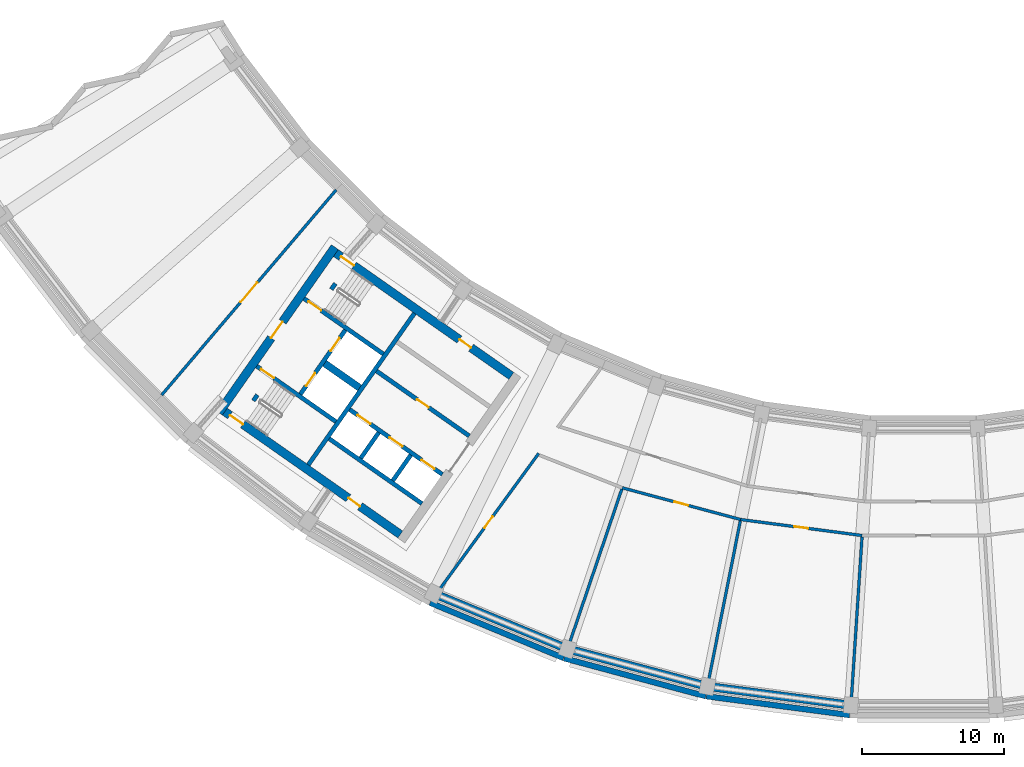
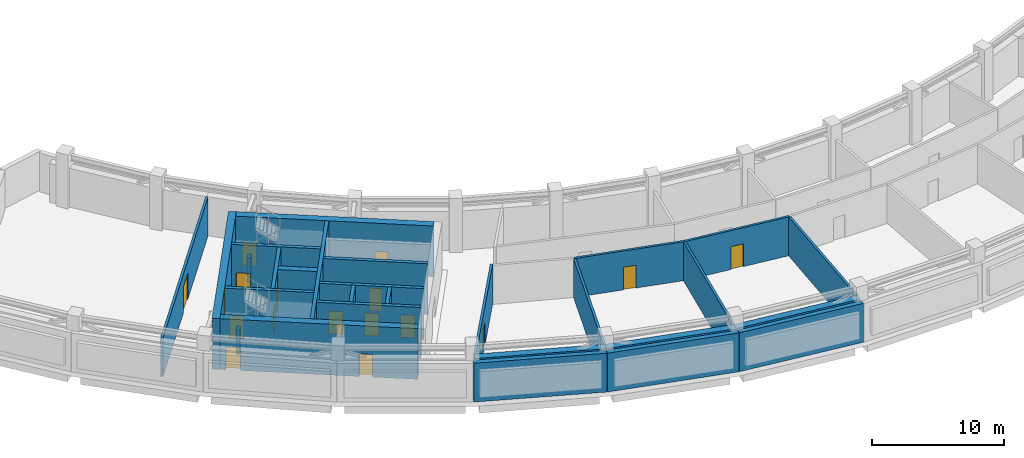
# One storey, part 5 of 24: 28 walls, 17 doors, 17 openings.
"""IFC4 building model written with IfcOpenShell, lengths in metres."""

import ifcopenshell
import ifcopenshell.guid

model = None  # the IFC model being written
_history = None  # IfcOwnerHistory: only IFC2X3 demands one
_inside = {}  # id of a spatial element -> (the spatial element, [elements in it])
_under = {}  # id of a project, library or spatial element -> (it, [spatial elements below it])
_declared = {}  # id of a project -> (the project, [libraries it declares])
_typed = {}  # id of a type object -> (the type object, [elements of that type])
_made_of = {}  # id of a material, layer set ... -> (it, [elements and type objects made of it])


def new_model(schema):
    """Start an empty IFC model of exactly this schema.

    Asked for "IFC4X3", IfcOpenShell would pick the latest addendum, in which some entities
    have other attributes; the version numbers below select the first issue.
    IFC2X3 requires an IfcOwnerHistory on every rooted entity: one is made here for all.
    """
    global model, _history
    if schema == "IFC4X3":
        model = ifcopenshell.file(schema_version=(4, 3, 0, 0))
    else:
        model = ifcopenshell.file(schema=schema)
    _inside.clear()
    _under.clear()
    _declared.clear()
    _typed.clear()
    _made_of.clear()
    _history = None
    if model.schema == "IFC2X3":
        org = make("IfcOrganization", Name="unknown")
        user = make(
            "IfcPersonAndOrganization",
            ThePerson=make("IfcPerson", FamilyName="unknown"),
            TheOrganization=org,
        )
        app = make(
            "IfcApplication",
            ApplicationDeveloper=org,
            Version="unknown",
            ApplicationFullName="unknown",
            ApplicationIdentifier="unknown",
        )
        _history = make(
            "IfcOwnerHistory",
            OwningUser=user,
            OwningApplication=app,
            ChangeAction="ADDED",
            CreationDate=0,
        )
    return model


def make(cls, **values):
    """One entity of the class cls with the attributes given. An attribute that is None is left unset."""
    return model.create_entity(
        cls, **{name: value for name, value in values.items() if value is not None}
    )


def rooted(cls, **values):
    """An entity with a GlobalId (a new one), such as an element, a storey or a relation."""
    return make(cls, GlobalId=ifcopenshell.guid.new(), OwnerHistory=_history, **values)


def si_unit(unit_type, name, prefix=None):
    """IfcSIUnit, for example si_unit("LENGTHUNIT", "METRE", prefix="MILLI")."""
    return make("IfcSIUnit", UnitType=unit_type, Prefix=prefix, Name=name)


def assignment(units):
    """IfcUnitAssignment: the units of a project."""
    return None if units is None else make("IfcUnitAssignment", Units=units)


def point(xyz):
    """IfcCartesianPoint."""
    return None if xyz is None else make("IfcCartesianPoint", Coordinates=xyz)


def direction(xyz):
    """IfcDirection."""
    return None if xyz is None else make("IfcDirection", DirectionRatios=xyz)


def frame(location, z_axis=None, x_axis=None):
    """IfcAxis2Placement3D, a coordinate frame: its origin and axes. An axis left out is left unset."""
    return make(
        "IfcAxis2Placement3D",
        Location=point(location),
        Axis=direction(z_axis),
        RefDirection=direction(x_axis),
    )


def frame_2d(location, x_axis=None):
    """IfcAxis2Placement2D, a coordinate frame in the plane: its origin and x axis."""
    return make(
        "IfcAxis2Placement2D", Location=point(location), RefDirection=direction(x_axis)
    )


def origin():
    """The frame at (0, 0, 0) with its axes left unset."""
    return frame((0.0, 0.0, 0.0))


def place(relative_to, where):
    """IfcLocalPlacement: puts the frame where relative to a parent placement (None: the world)."""
    return make(
        "IfcLocalPlacement", PlacementRelTo=relative_to, RelativePlacement=where
    )


def context(
    kind, dimensions, precision=None, world=None, true_north=None, identifier=None
):
    """IfcGeometricRepresentationContext, for example the 3D "Model" context."""
    return make(
        "IfcGeometricRepresentationContext",
        ContextIdentifier=identifier,
        ContextType=kind,
        CoordinateSpaceDimension=dimensions,
        Precision=precision,
        WorldCoordinateSystem=world,
        TrueNorth=true_north,
    )


def subcontext(parent, identifier, kind, view, scale=None):
    """IfcGeometricRepresentationSubContext, for example "Body" below "Model"."""
    return make(
        "IfcGeometricRepresentationSubContext",
        ContextIdentifier=identifier,
        ContextType=kind,
        ParentContext=parent,
        TargetScale=scale,
        TargetView=view,
    )


def project(units=None, contexts=None):
    """IfcProject with its units and contexts."""
    return rooted(
        "IfcProject",
        Name="project",
        RepresentationContexts=contexts,
        UnitsInContext=assignment(units),
    )


def spatial(cls, under=None, at=None, **own):
    """A site, building, storey or space (cls), placed at a placement, below another one or the project."""
    s = rooted(cls, ObjectPlacement=at, **own)
    if under is not None:
        _under.setdefault(under.id(), (under, []))[1].append(s)
    return s


def profile(cls, at=None, kind="AREA", **sizes):
    """A parametric profile (cls). Its sizes go by their IFC names, for example OverallWidth=200.0."""
    return make(cls, ProfileType=kind, Position=at, **sizes)


def rectangle(**sizes):
    """IfcRectangleProfileDef."""
    return profile("IfcRectangleProfileDef", **sizes)


def extrude(swept, where, along, depth):
    """IfcExtrudedAreaSolid: the profile swept, set in the frame where, extruded along a direction by depth."""
    return make(
        "IfcExtrudedAreaSolid",
        SweptArea=swept,
        Position=where,
        ExtrudedDirection=direction(along),
        Depth=depth,
    )


def shape(context_of_items, identifier, shape_type, items):
    """IfcShapeRepresentation: the items that make up one representation, for example the "Body"."""
    return make(
        "IfcShapeRepresentation",
        ContextOfItems=context_of_items,
        RepresentationIdentifier=identifier,
        RepresentationType=shape_type,
        Items=items,
    )


def material(Name=None, Category=None):
    """IfcMaterial."""
    return make("IfcMaterial", Name=Name, Category=Category)


def layer(
    of_material, thickness, ventilated=None, Name=None, Category=None, Priority=None
):
    """IfcMaterialLayer: one layer of a wall or slab, of a material (None: an air gap)."""
    return make(
        "IfcMaterialLayer",
        Material=of_material,
        LayerThickness=thickness,
        IsVentilated=ventilated,
        Name=Name,
        Category=Category,
        Priority=Priority,
    )


def layer_set(layers, Name=None):
    """IfcMaterialLayerSet."""
    return make("IfcMaterialLayerSet", MaterialLayers=layers, LayerSetName=Name)


def made_of(thing, what):
    """Note that an element or type object is made of a material, layer set ...; save() writes the relation."""
    if what is not None:
        _made_of.setdefault(what.id(), (what, []))[1].append(thing)
    return thing


def type_object(cls, material=None, **own):
    """A type object (cls), such as IfcWallType, which elements share."""
    return made_of(rooted(cls, **own), material)


def element(
    cls,
    number,
    at=None,
    inside=None,
    cuts=None,
    type_object=None,
    material=None,
    context=None,
    identifier="Body",
    shape_type=None,
    held_by="IfcProductDefinitionShape",
    body=None,
    shapes=None,
    **own,
):
    """One element of the class cls, such as IfcWall. Its Tag is "e" and its number.

    at: its placement. inside: the storey or other place that contains it. cuts: it is an
    opening in that element (IfcRelVoidsElement). A single representation is given by context,
    identifier, shape_type and body (its items); several are given by shapes. held_by: the class
    of the entity that holds the representations. save() writes the other relations.
    """
    e = rooted(cls, Tag="e%d" % number, ObjectPlacement=at, **own)
    if body is not None:
        shapes = [shape(context, identifier, shape_type, body)]
    if shapes is not None:
        e.Representation = make(held_by, Representations=shapes)
    if inside is not None:
        _inside.setdefault(inside.id(), (inside, []))[1].append(e)
    if cuts is not None:
        rooted(
            "IfcRelVoidsElement", RelatingBuildingElement=cuts, RelatedOpeningElement=e
        )
    if type_object is not None:
        _typed.setdefault(type_object.id(), (type_object, []))[1].append(e)
    return made_of(e, material)


def fill(opening, filler):
    """IfcRelFillsElement: the door or window that sits in an opening."""
    return rooted(
        "IfcRelFillsElement",
        RelatingOpeningElement=opening,
        RelatedBuildingElement=filler,
    )


def aggregate(whole, parts):
    """IfcRelAggregates: a whole, such as a stair, and the parts it consists of."""
    return rooted("IfcRelAggregates", RelatingObject=whole, RelatedObjects=parts)


def save(model, path):
    """Write the relations noted so far, then the file.

    IfcRelAggregates (storeys below a building ...), IfcRelContainedInSpatialStructure (elements
    in a storey), IfcRelDefinesByType, IfcRelAssociatesMaterial and IfcRelDeclares: one each for
    every whole, place, type object, material and project.
    """
    for whole, parts in _under.values():
        aggregate(whole, parts)
    for where, things in _inside.values():
        rooted(
            "IfcRelContainedInSpatialStructure",
            RelatedElements=things,
            RelatingStructure=where,
        )
    for kind, things in _typed.values():
        rooted("IfcRelDefinesByType", RelatedObjects=things, RelatingType=kind)
    for what, things in _made_of.values():
        rooted("IfcRelAssociatesMaterial", RelatedObjects=things, RelatingMaterial=what)
    for by, libraries in _declared.values():
        rooted("IfcRelDeclares", RelatingContext=by, RelatedDefinitions=libraries)
    model.write(path)


model = new_model("IFC4")

# Units and contexts
model_context = context("Model", 3, precision=1e-05, world=origin(), true_north=direction((0.0, 1.0)))
body_context = subcontext(model_context, "Body", "Model", "MODEL_VIEW")
ifc_project = project(units=[si_unit("LENGTHUNIT", "METRE"), si_unit("AREAUNIT", "SQUARE_METRE"), si_unit("VOLUMEUNIT", "CUBIC_METRE"), si_unit("PLANEANGLEUNIT", "RADIAN"), si_unit("MASSUNIT", "GRAM", prefix="KILO")], contexts=[model_context])

# Site, building, storey
site_placement = place(None, origin())
site = spatial("IfcSite", under=ifc_project, at=site_placement, CompositionType="ELEMENT")
building_placement = place(site_placement, origin())
building = spatial("IfcBuilding", under=site, at=building_placement, Name="Qamariyya Broadcast Tower", CompositionType="ELEMENT")
storey_placement = place(building_placement, frame((0.0, 0.0, 253.10009765625)))
storey = spatial("IfcBuildingStorey", under=building, at=storey_placement, Name="L61", CompositionType="ELEMENT", Elevation=253.10009765625)

# Wall, opening, door
ifc_material_1 = material(Name="Concrete C60/75", Category="concrete")
ifc_layer_1 = layer(ifc_material_1, 0.60009765625)
ifc_layer_set_1 = layer_set([ifc_layer_1], Name="Core wall 600 mm Concrete C60/75")
wall_type_1 = type_object("IfcWallType", Name="Core wall 600 mm Concrete C60/75", PredefinedType="SHEAR", material=ifc_layer_set_1)
wall_1_placement = place(storey_placement, frame((-49.4833984375, -57.031494140625, 0.0), z_axis=(0.0, 0.0, 1.0), x_axis=(0.573560421458, 0.819163257805, 0.0)))
wall_1 = element("IfcWall", 1, at=wall_1_placement, inside=storey, type_object=wall_type_1, Name="k-W-L61-WH", PredefinedType="SHEAR", context=body_context, shape_type="SweptSolid", body=[
    extrude(rectangle(XDim=14.199951171875, YDim=0.60009765625, at=frame_2d((7.10009765625, 0.0))), origin(), (0.0, 0.0, 1.0), 4.699951171875),
])
opening_1_placement = place(wall_1_placement, frame((6.39990234375, 0.0, 0.0)))
opening_1 = element("IfcOpeningElement", 2, at=opening_1_placement, cuts=wall_1, Name="Opening KD2-W1", PredefinedType="OPENING", context=body_context, shape_type="SweptSolid", body=[
    extrude(rectangle(XDim=1.39990234375, YDim=2.10009765625, at=frame_2d((0.699951171875, 1.050048828125))), frame((0.0, 0.31005859375, 0.0), z_axis=(0.0, -1.0, 0.0), x_axis=(1.0, 0.0, 0.0)), (0.0, 0.0, 1.0), 0.6201171875),
])
ifc_material_2 = material(Name="Steel fire-resisting door leaf", Category="steel")
door_type_1 = type_object("IfcDoorType", Name="Fire-fighting lobby door KD2", OperationType="DOUBLE_DOOR_SINGLE_SWING", PredefinedType="DOOR", material=ifc_material_2)
door_1_placement = place(opening_1_placement, origin())
door_1 = element("IfcDoor", 3, at=door_1_placement, inside=storey, type_object=door_type_1, Name="k-W-L61-WH-D10", OperationType="DOUBLE_DOOR_SINGLE_SWING", OverallHeight=2.10009765625, OverallWidth=1.39990234375, PredefinedType="DOOR", context=body_context, shape_type="SweptSolid", body=[
    extrude(rectangle(XDim=1.39990234375, YDim=2.10009765625, at=frame_2d((0.699951171875, 1.050048828125))), frame((0.0, 0.02490234375, 0.0), z_axis=(0.0, -1.0, 0.0), x_axis=(1.0, 0.0, 0.0)), (0.0, 0.0, 1.0), 0.050048828125),
])
fill(opening_1, door_1)

# Wall, openings, doors
wall_2_placement = place(storey_placement, frame((-28.940673828125, -54.447021484375, 0.0), z_axis=(0.0, 0.0, 1.0), x_axis=(-0.819153391756, 0.573574511963, 0.0)))
wall_2 = element("IfcWall", 4, at=wall_2_placement, inside=storey, type_object=wall_type_1, Name="k-W-L61-WI", PredefinedType="SHEAR", context=body_context, shape_type="SweptSolid", body=[
    extrude(rectangle(XDim=15.04541015625, YDim=0.60009765625, at=frame_2d((7.522705078125, 0.0))), origin(), (0.0, 0.0, 1.0), 4.699951171875),
])
opening_2_placement = place(wall_2_placement, frame((3.449951171875, 0.0, 0.0)))
opening_2 = element("IfcOpeningElement", 5, at=opening_2_placement, cuts=wall_2, Name="Opening KD4-W2", PredefinedType="OPENING", context=body_context, shape_type="SweptSolid", body=[
    extrude(rectangle(XDim=1.0, YDim=2.10009765625, at=frame_2d((0.5, 1.050048828125))), frame((0.0, 0.31005859375, 0.0), z_axis=(0.0, -1.0, 0.0), x_axis=(1.0, 0.0, 0.0)), (0.0, 0.0, 1.0), 0.6201171875),
])
opening_3_placement = place(wall_2_placement, frame((13.495361328125, 0.0, 0.0)))
opening_3 = element("IfcOpeningElement", 6, at=opening_3_placement, cuts=wall_2, Name="Opening KD1-W1", PredefinedType="OPENING", context=body_context, shape_type="SweptSolid", body=[
    extrude(rectangle(XDim=1.10009765625, YDim=2.10009765625, at=frame_2d((0.550048828125, 1.050048828125))), frame((0.0, 0.31005859375, 0.0), z_axis=(0.0, -1.0, 0.0), x_axis=(1.0, 0.0, 0.0)), (0.0, 0.0, 1.0), 0.6201171875),
])
door_type_2 = type_object("IfcDoorType", Name="Riser and plant door KD4", OperationType="SINGLE_SWING_LEFT", PredefinedType="DOOR", material=ifc_material_2)
door_2_placement = place(opening_2_placement, origin())
door_2 = element("IfcDoor", 7, at=door_2_placement, inside=storey, type_object=door_type_2, Name="k-W-L61-WI-D6", OperationType="SINGLE_SWING_LEFT", OverallHeight=2.10009765625, OverallWidth=1.0, PredefinedType="DOOR", context=body_context, shape_type="SweptSolid", body=[
    extrude(rectangle(XDim=1.0, YDim=2.10009765625, at=frame_2d((0.5, 1.050048828125))), frame((0.0, 0.02490234375, 0.0), z_axis=(0.0, -1.0, 0.0), x_axis=(1.0, 0.0, 0.0)), (0.0, 0.0, 1.0), 0.050048828125),
])
fill(opening_2, door_2)
door_type_3 = type_object("IfcDoorType", Name="Stair door KD1", OperationType="SINGLE_SWING_LEFT", PredefinedType="DOOR", material=ifc_material_2)
door_3_placement = place(opening_3_placement, origin())
door_3 = element("IfcDoor", 8, at=door_3_placement, inside=storey, type_object=door_type_3, Name="k-W-L61-WI-D11", OperationType="SINGLE_SWING_RIGHT", OverallHeight=2.10009765625, OverallWidth=1.10009765625, PredefinedType="DOOR", context=body_context, shape_type="SweptSolid", body=[
    extrude(rectangle(XDim=1.10009765625, YDim=2.10009765625, at=frame_2d((0.550048828125, 1.050048828125))), frame((0.0, 0.02490234375, 0.0), z_axis=(0.0, -1.0, 0.0), x_axis=(1.0, 0.0, 0.0)), (0.0, 0.0, 1.0), 0.050048828125),
])
fill(opening_3, door_3)

wall_3_placement = place(storey_placement, frame((-36.7412109375, -65.58740234375, 0.0), z_axis=(0.0, 0.0, 1.0), x_axis=(-0.819153391756, 0.573574511963, 0.0)))
wall_3 = element("IfcWall", 9, at=wall_3_placement, inside=storey, type_object=wall_type_1, Name="k-W-L61-WO", PredefinedType="SHEAR", context=body_context, shape_type="SweptSolid", body=[
    extrude(rectangle(XDim=15.04541015625, YDim=0.60009765625, at=frame_2d((7.522705078125, 0.0))), origin(), (0.0, 0.0, 1.0), 4.699951171875),
])
opening_4_placement = place(wall_3_placement, frame((3.449951171875, 0.0, 0.0)))
opening_4 = element("IfcOpeningElement", 10, at=opening_4_placement, cuts=wall_3, Name="Opening KD4-W3", PredefinedType="OPENING", context=body_context, shape_type="SweptSolid", body=[
    extrude(rectangle(XDim=1.0, YDim=2.10009765625, at=frame_2d((0.5, 1.050048828125))), frame((0.0, 0.31005859375, 0.0), z_axis=(0.0, -1.0, 0.0), x_axis=(1.0, 0.0, 0.0)), (0.0, 0.0, 1.0), 0.6201171875),
])
opening_5_placement = place(wall_3_placement, frame((13.495361328125, 0.0, 0.0)))
opening_5 = element("IfcOpeningElement", 11, at=opening_5_placement, cuts=wall_3, Name="Opening KD1-W3", PredefinedType="OPENING", context=body_context, shape_type="SweptSolid", body=[
    extrude(rectangle(XDim=1.10009765625, YDim=2.10009765625, at=frame_2d((0.550048828125, 1.050048828125))), frame((0.0, 0.31005859375, 0.0), z_axis=(0.0, -1.0, 0.0), x_axis=(1.0, 0.0, 0.0)), (0.0, 0.0, 1.0), 0.6201171875),
])
door_4_placement = place(opening_4_placement, origin())
door_4 = element("IfcDoor", 12, at=door_4_placement, inside=storey, type_object=door_type_2, Name="k-W-L61-WO-D7", OperationType="SINGLE_SWING_RIGHT", OverallHeight=2.10009765625, OverallWidth=1.0, PredefinedType="DOOR", context=body_context, shape_type="SweptSolid", body=[
    extrude(rectangle(XDim=1.0, YDim=2.10009765625, at=frame_2d((0.5, 1.050048828125))), frame((0.0, 0.02490234375, 0.0), z_axis=(0.0, -1.0, 0.0), x_axis=(1.0, 0.0, 0.0)), (0.0, 0.0, 1.0), 0.050048828125),
])
fill(opening_4, door_4)
door_5_placement = place(opening_5_placement, origin())
door_5 = element("IfcDoor", 13, at=door_5_placement, inside=storey, type_object=door_type_3, Name="k-W-L61-WO-D13", OperationType="SINGLE_SWING_LEFT", OverallHeight=2.10009765625, OverallWidth=1.10009765625, PredefinedType="DOOR", context=body_context, shape_type="SweptSolid", body=[
    extrude(rectangle(XDim=1.10009765625, YDim=2.10009765625, at=frame_2d((0.550048828125, 1.050048828125))), frame((0.0, 0.02490234375, 0.0), z_axis=(0.0, -1.0, 0.0), x_axis=(1.0, 0.0, 0.0)), (0.0, 0.0, 1.0), 0.050048828125),
])
fill(opening_5, door_5)

# Walls
ifc_layer_2 = layer(ifc_material_1, 0.5)
ifc_layer_set_2 = layer_set([ifc_layer_2], Name="Fire-fighting lobby divider wall 500 mm Concrete C60/75")
wall_type_2 = type_object("IfcWallType", Name="Fire-fighting lobby divider wall 500 mm Concrete C60/75", PredefinedType="SOLIDWALL", material=ifc_layer_set_2)
wall_4_placement = place(storey_placement, frame((-39.59912109375, -55.28515625, 0.0), z_axis=(0.0, 0.0, 1.0), x_axis=(-0.819136323161, 0.573598887793, 0.0)))
element("IfcWall", 14, at=wall_4_placement, inside=storey, type_object=wall_type_2, Name="k-W-L61-FD", PredefinedType="SOLIDWALL", context=body_context, shape_type="SweptSolid", body=[
    extrude(rectangle(XDim=2.999755859375, YDim=0.5, at=frame_2d((1.5, 0.0))), origin(), (0.0, 0.0, 1.0), 4.699951171875),
])
ifc_layer_3 = layer(ifc_material_1, 0.300048828125)
ifc_layer_set_3 = layer_set([ifc_layer_3], Name="Lift shaft wall 300 mm Concrete C60/75")
wall_type_3 = type_object("IfcWallType", Name="Lift shaft wall 300 mm Concrete C60/75", PredefinedType="SOLIDWALL", material=ifc_layer_set_3)
wall_5_placement = place(storey_placement, frame((-43.204345703125, -60.69580078125, 0.0), z_axis=(0.0, 0.0, 1.0), x_axis=(0.573571992966, 0.819155155563, 0.0)))
element("IfcWall", 15, at=wall_5_placement, inside=storey, type_object=wall_type_3, Name="k-W-L61-WL", PredefinedType="SOLIDWALL", context=body_context, shape_type="SweptSolid", body=[
    extrude(rectangle(XDim=13.000244140625, YDim=0.300048828125, at=frame_2d((6.5, 0.0))), origin(), (0.0, 0.0, 1.0), 4.699951171875),
])

# Wall, opening, door
wall_6_placement = place(storey_placement, frame((-31.89453125, -58.66552734375, 0.0), z_axis=(0.0, 0.0, 1.0), x_axis=(-0.819166993208, 0.573555086491, 0.0)))
wall_6 = element("IfcWall", 16, at=wall_6_placement, inside=storey, type_object=wall_type_3, Name="k-W-L61-NF0", PredefinedType="SOLIDWALL", context=body_context, shape_type="SweptSolid", body=[
    extrude(rectangle(XDim=7.9501953125, YDim=0.300048828125, at=frame_2d((3.97509765625, 0.0))), origin(), (0.0, 0.0, 1.0), 4.699951171875),
])
opening_6_placement = place(wall_6_placement, frame((3.47509765625, 0.0, 0.0)))
opening_6 = element("IfcOpeningElement", 17, at=opening_6_placement, cuts=wall_6, Name="Opening KD4-W1", PredefinedType="OPENING", context=body_context, shape_type="SweptSolid", body=[
    extrude(rectangle(XDim=1.0, YDim=2.10009765625, at=frame_2d((0.5, 1.050048828125))), frame((0.0, 0.159912109375, 0.0), z_axis=(0.0, -1.0, 0.0), x_axis=(1.0, 0.0, 0.0)), (0.0, 0.0, 1.0), 0.320068359375),
])
door_6_placement = place(opening_6_placement, origin())
door_6 = element("IfcDoor", 18, at=door_6_placement, inside=storey, type_object=door_type_2, Name="k-W-L61-NF0-D2", OperationType="SINGLE_SWING_LEFT", OverallHeight=2.10009765625, OverallWidth=1.0, PredefinedType="DOOR", context=body_context, shape_type="SweptSolid", body=[
    extrude(rectangle(XDim=1.0, YDim=2.10009765625, at=frame_2d((0.5, 1.050048828125))), frame((0.0, 0.02490234375, 0.0), z_axis=(0.0, -1.0, 0.0), x_axis=(1.0, 0.0, 0.0)), (0.0, 0.0, 1.0), 0.050048828125),
])
fill(opening_6, door_6)

# Wall, openings, doors
wall_7_placement = place(storey_placement, frame((-33.787353515625, -61.368896484375, 0.0), z_axis=(0.0, 0.0, 1.0), x_axis=(-0.819152564888, 0.573575692858, 0.0)))
wall_7 = element("IfcWall", 19, at=wall_7_placement, inside=storey, type_object=wall_type_3, Name="k-W-L61-SF0", PredefinedType="SOLIDWALL", context=body_context, shape_type="SweptSolid", body=[
    extrude(rectangle(XDim=7.9501953125, YDim=0.300048828125, at=frame_2d((3.97509765625, 0.0))), origin(), (0.0, 0.0, 1.0), 4.699951171875),
])
opening_7_placement = place(wall_7_placement, frame((0.675048828125, 0.0, 0.0)))
opening_7 = element("IfcOpeningElement", 20, at=opening_7_placement, cuts=wall_7, Name="Opening LD", PredefinedType="OPENING", context=body_context, shape_type="SweptSolid", body=[
    extrude(rectangle(XDim=1.10009765625, YDim=2.10009765625, at=frame_2d((0.550048828125, 1.050048828125))), frame((0.0, 0.159912109375, 0.0), z_axis=(0.0, -1.0, 0.0), x_axis=(1.0, 0.0, 0.0)), (0.0, 0.0, 1.0), 0.320068359375),
])
opening_8_placement = place(wall_7_placement, frame((3.425048828125, 0.0, 0.0)))
opening_8 = element("IfcOpeningElement", 21, at=opening_8_placement, cuts=wall_7, Name="Opening LD", PredefinedType="OPENING", context=body_context, shape_type="SweptSolid", body=[
    extrude(rectangle(XDim=1.10009765625, YDim=2.10009765625, at=frame_2d((0.550048828125, 1.050048828125))), frame((0.0, 0.159912109375, 0.0), z_axis=(0.0, -1.0, 0.0), x_axis=(1.0, 0.0, 0.0)), (0.0, 0.0, 1.0), 0.320068359375),
])
opening_9_placement = place(wall_7_placement, frame((6.175048828125, 0.0, 0.0)))
opening_9 = element("IfcOpeningElement", 22, at=opening_9_placement, cuts=wall_7, Name="Opening LD", PredefinedType="OPENING", context=body_context, shape_type="SweptSolid", body=[
    extrude(rectangle(XDim=1.10009765625, YDim=2.10009765625, at=frame_2d((0.550048828125, 1.050048828125))), frame((0.0, 0.159912109375, 0.0), z_axis=(0.0, -1.0, 0.0), x_axis=(1.0, 0.0, 0.0)), (0.0, 0.0, 1.0), 0.320068359375),
])
door_type_4 = type_object("IfcDoorType", Name="Lift landing door LD", OperationType="DOUBLE_DOOR_SLIDING", PredefinedType="DOOR", material=ifc_material_2)
door_7_placement = place(opening_7_placement, origin())
door_7 = element("IfcDoor", 23, at=door_7_placement, inside=storey, type_object=door_type_4, Name="k-W-L61-SF0-D3", OperationType="DOUBLE_DOOR_SLIDING", OverallHeight=2.10009765625, OverallWidth=1.10009765625, PredefinedType="DOOR", context=body_context, shape_type="SweptSolid", body=[
    extrude(rectangle(XDim=1.10009765625, YDim=2.10009765625, at=frame_2d((0.550048828125, 1.050048828125))), frame((0.0, 0.02490234375, 0.0), z_axis=(0.0, -1.0, 0.0), x_axis=(1.0, 0.0, 0.0)), (0.0, 0.0, 1.0), 0.050048828125),
])
fill(opening_7, door_7)
door_8_placement = place(opening_8_placement, origin())
door_8 = element("IfcDoor", 24, at=door_8_placement, inside=storey, type_object=door_type_4, Name="k-W-L61-SF0-D4", OperationType="DOUBLE_DOOR_SLIDING", OverallHeight=2.10009765625, OverallWidth=1.10009765625, PredefinedType="DOOR", context=body_context, shape_type="SweptSolid", body=[
    extrude(rectangle(XDim=1.10009765625, YDim=2.10009765625, at=frame_2d((0.550048828125, 1.050048828125))), frame((0.0, 0.02490234375, 0.0), z_axis=(0.0, -1.0, 0.0), x_axis=(1.0, 0.0, 0.0)), (0.0, 0.0, 1.0), 0.050048828125),
])
fill(opening_8, door_8)
door_9_placement = place(opening_9_placement, origin())
door_9 = element("IfcDoor", 25, at=door_9_placement, inside=storey, type_object=door_type_4, Name="k-W-L61-SF0-D5", OperationType="DOUBLE_DOOR_SLIDING", OverallHeight=2.10009765625, OverallWidth=1.10009765625, PredefinedType="DOOR", context=body_context, shape_type="SweptSolid", body=[
    extrude(rectangle(XDim=1.10009765625, YDim=2.10009765625, at=frame_2d((0.550048828125, 1.050048828125))), frame((0.0, 0.02490234375, 0.0), z_axis=(0.0, -1.0, 0.0), x_axis=(1.0, 0.0, 0.0)), (0.0, 0.0, 1.0), 0.050048828125),
])
fill(opening_9, door_9)

# Walls
wall_8_placement = place(storey_placement, frame((-35.22119140625, -63.41650390625, 0.0), z_axis=(0.0, 0.0, 1.0), x_axis=(-0.819166993208, 0.573555086491, 0.0)))
element("IfcWall", 26, at=wall_8_placement, inside=storey, type_object=wall_type_3, Name="k-W-L61-SB0", PredefinedType="SOLIDWALL", context=body_context, shape_type="SweptSolid", body=[
    extrude(rectangle(XDim=7.9501953125, YDim=0.300048828125, at=frame_2d((3.97509765625, 0.0))), origin(), (0.0, 0.0, 1.0), 4.699951171875),
])
wall_9_placement = place(storey_placement, frame((-36.003173828125, -60.000244140625, 0.0), z_axis=(0.0, 0.0, 1.0), x_axis=(-0.573581496053, -0.819148501424, 0.0)))
element("IfcWall", 27, at=wall_9_placement, inside=storey, type_object=wall_type_3, Name="k-W-L61-SD0", PredefinedType="SOLIDWALL", context=body_context, shape_type="SweptSolid", body=[
    extrude(rectangle(XDim=2.2001953125, YDim=0.300048828125, at=frame_2d((1.10009765625, 0.0))), origin(), (0.0, 0.0, 1.0), 4.699951171875),
])
wall_10_placement = place(storey_placement, frame((-38.255859375, -58.423095703125, 0.0), z_axis=(0.0, 0.0, 1.0), x_axis=(-0.573633636671, -0.819111989218, 0.0)))
element("IfcWall", 28, at=wall_10_placement, inside=storey, type_object=wall_type_3, Name="k-W-L61-SD1", PredefinedType="SOLIDWALL", context=body_context, shape_type="SweptSolid", body=[
    extrude(rectangle(XDim=2.199951171875, YDim=0.300048828125, at=frame_2d((1.10009765625, 0.0))), origin(), (0.0, 0.0, 1.0), 4.699951171875),
])

# Wall, opening, door
wall_11_placement = place(storey_placement, frame((-37.935546875, -52.90966796875, 0.0), z_axis=(0.0, 0.0, 1.0), x_axis=(-0.819147518138, 0.57358290031, 0.0)))
wall_11 = element("IfcWall", 29, at=wall_11_placement, inside=storey, type_object=wall_type_3, Name="k-W-L61-NW", PredefinedType="SOLIDWALL", context=body_context, shape_type="SweptSolid", body=[
    extrude(rectangle(XDim=6.79541015625, YDim=0.300048828125, at=frame_2d((3.397705078125, 0.0))), origin(), (0.0, 0.0, 1.0), 4.699951171875),
])
opening_10_placement = place(wall_11_placement, frame((5.3203125, 0.0, 0.0)))
opening_10 = element("IfcOpeningElement", 30, at=opening_10_placement, cuts=wall_11, Name="Opening KD1-W2", PredefinedType="OPENING", context=body_context, shape_type="SweptSolid", body=[
    extrude(rectangle(XDim=1.10009765625, YDim=2.10009765625, at=frame_2d((0.550048828125, 1.050048828125))), frame((0.0, 0.159912109375, 0.0), z_axis=(0.0, -1.0, 0.0), x_axis=(1.0, 0.0, 0.0)), (0.0, 0.0, 1.0), 0.320068359375),
])
door_10_placement = place(opening_10_placement, origin())
door_10 = element("IfcDoor", 31, at=door_10_placement, inside=storey, type_object=door_type_3, Name="k-W-L61-NW-D12", OperationType="SINGLE_SWING_LEFT", OverallHeight=2.10009765625, OverallWidth=1.10009765625, PredefinedType="DOOR", context=body_context, shape_type="SweptSolid", body=[
    extrude(rectangle(XDim=1.10009765625, YDim=2.10009765625, at=frame_2d((0.550048828125, 1.050048828125))), frame((0.0, 0.02490234375, 0.0), z_axis=(0.0, -1.0, 0.0), x_axis=(1.0, 0.0, 0.0)), (0.0, 0.0, 1.0), 0.050048828125),
])
fill(opening_10, door_10)

wall_12_placement = place(storey_placement, frame((-41.262451171875, -57.66064453125, 0.0), z_axis=(0.0, 0.0, 1.0), x_axis=(-0.819164398642, 0.573558792102, 0.0)))
wall_12 = element("IfcWall", 32, at=wall_12_placement, inside=storey, type_object=wall_type_3, Name="k-W-L61-SW", PredefinedType="SOLIDWALL", context=body_context, shape_type="SweptSolid", body=[
    extrude(rectangle(XDim=6.795166015625, YDim=0.300048828125, at=frame_2d((3.3974609375, 0.0))), origin(), (0.0, 0.0, 1.0), 4.699951171875),
])
opening_11_placement = place(wall_12_placement, frame((5.3203125, 0.0, 0.0)))
opening_11 = element("IfcOpeningElement", 33, at=opening_11_placement, cuts=wall_12, Name="Opening KD1-W4", PredefinedType="OPENING", context=body_context, shape_type="SweptSolid", body=[
    extrude(rectangle(XDim=1.10009765625, YDim=2.10009765625, at=frame_2d((0.550048828125, 1.050048828125))), frame((0.0, 0.159912109375, 0.0), z_axis=(0.0, -1.0, 0.0), x_axis=(1.0, 0.0, 0.0)), (0.0, 0.0, 1.0), 0.320068359375),
])
door_11_placement = place(opening_11_placement, origin())
door_11 = element("IfcDoor", 34, at=door_11_placement, inside=storey, type_object=door_type_3, Name="k-W-L61-SW-D14", OperationType="SINGLE_SWING_LEFT", OverallHeight=2.10009765625, OverallWidth=1.10009765625, PredefinedType="DOOR", context=body_context, shape_type="SweptSolid", body=[
    extrude(rectangle(XDim=1.10009765625, YDim=2.10009765625, at=frame_2d((0.550048828125, 1.050048828125))), frame((0.0, 0.02490234375, 0.0), z_axis=(0.0, -1.0, 0.0), x_axis=(1.0, 0.0, 0.0)), (0.0, 0.0, 1.0), 0.050048828125),
])
fill(opening_11, door_11)

# Wall, openings, doors
wall_13_placement = place(storey_placement, frame((-43.756591796875, -55.731201171875, 0.0), z_axis=(0.0, 0.0, 1.0), x_axis=(0.573536818435, 0.819179783625, 0.0)))
wall_13 = element("IfcWall", 35, at=wall_13_placement, inside=storey, type_object=wall_type_3, Name="k-W-L61-FF", PredefinedType="SOLIDWALL", context=body_context, shape_type="SweptSolid", body=[
    extrude(rectangle(XDim=5.500244140625, YDim=0.300048828125, at=frame_2d((2.75, 0.0))), origin(), (0.0, 0.0, 1.0), 4.699951171875),
])
opening_12_placement = place(wall_13_placement, frame((0.699951171875, 0.0, 0.0)))
opening_12 = element("IfcOpeningElement", 36, at=opening_12_placement, cuts=wall_13, Name="Opening LD", PredefinedType="OPENING", context=body_context, shape_type="SweptSolid", body=[
    extrude(rectangle(XDim=1.10009765625, YDim=2.10009765625, at=frame_2d((0.550048828125, 1.050048828125))), frame((0.0, 0.159912109375, 0.0), z_axis=(0.0, -1.0, 0.0), x_axis=(1.0, 0.0, 0.0)), (0.0, 0.0, 1.0), 0.320068359375),
])
opening_13_placement = place(wall_13_placement, frame((3.699951171875, 0.0, 0.0)))
opening_13 = element("IfcOpeningElement", 37, at=opening_13_placement, cuts=wall_13, Name="Opening LD", PredefinedType="OPENING", context=body_context, shape_type="SweptSolid", body=[
    extrude(rectangle(XDim=1.10009765625, YDim=2.10009765625, at=frame_2d((0.550048828125, 1.050048828125))), frame((0.0, 0.159912109375, 0.0), z_axis=(0.0, -1.0, 0.0), x_axis=(1.0, 0.0, 0.0)), (0.0, 0.0, 1.0), 0.320068359375),
])
door_12_placement = place(opening_12_placement, origin())
door_12 = element("IfcDoor", 38, at=door_12_placement, inside=storey, type_object=door_type_4, Name="k-W-L61-FF-D8", OperationType="DOUBLE_DOOR_SLIDING", OverallHeight=2.10009765625, OverallWidth=1.10009765625, PredefinedType="DOOR", context=body_context, shape_type="SweptSolid", body=[
    extrude(rectangle(XDim=1.10009765625, YDim=2.10009765625, at=frame_2d((0.550048828125, 1.050048828125))), frame((0.0, 0.02490234375, 0.0), z_axis=(0.0, -1.0, 0.0), x_axis=(1.0, 0.0, 0.0)), (0.0, 0.0, 1.0), 0.050048828125),
])
fill(opening_12, door_12)
door_13_placement = place(opening_13_placement, origin())
door_13 = element("IfcDoor", 39, at=door_13_placement, inside=storey, type_object=door_type_4, Name="k-W-L61-FF-D9", OperationType="DOUBLE_DOOR_SLIDING", OverallHeight=2.10009765625, OverallWidth=1.10009765625, PredefinedType="DOOR", context=body_context, shape_type="SweptSolid", body=[
    extrude(rectangle(XDim=1.10009765625, YDim=2.10009765625, at=frame_2d((0.550048828125, 1.050048828125))), frame((0.0, 0.02490234375, 0.0), z_axis=(0.0, -1.0, 0.0), x_axis=(1.0, 0.0, 0.0)), (0.0, 0.0, 1.0), 0.050048828125),
])
fill(opening_13, door_13)

# Walls
wall_14_placement = place(storey_placement, frame((-41.5869140625, -48.369140625, 0.0), z_axis=(0.0, 0.0, 1.0), x_axis=(0.573495128918, 0.819208970354, 0.0)))
element("IfcWall", 40, at=wall_14_placement, inside=storey, type_object=wall_type_3, Name="k-W-L61-W2PR", PredefinedType="SOLIDWALL", context=body_context, shape_type="SweptSolid", body=[
    extrude(rectangle(XDim=0.499755859375, YDim=0.300048828125, at=frame_2d((0.25, 0.0))), origin(), (0.0, 0.0, 1.0), 2.2998046875),
])
wall_15_placement = place(storey_placement, frame((-47.064697265625, -56.19189453125, 0.0), z_axis=(0.0, 0.0, 1.0), x_axis=(0.573822822947, 0.818979467304, 0.0)))
element("IfcWall", 41, at=wall_15_placement, inside=storey, type_object=wall_type_3, Name="k-W-L61-W1PR", PredefinedType="SOLIDWALL", context=body_context, shape_type="SweptSolid", body=[
    extrude(rectangle(XDim=0.5, YDim=0.300048828125, at=frame_2d((0.25, 0.0))), origin(), (0.0, 0.0, 1.0), 2.2998046875),
])

# Wall, opening, door
ifc_material_3 = material(Name="Masonry block wall", Category="masonry")
ifc_layer_4 = layer(ifc_material_3, 0.199951171875)
ifc_layer_set_4 = layer_set([ifc_layer_4], Name="Plant room wall 200 EI 120")
wall_type_4 = type_object("IfcWallType", Name="Plant room wall 200 EI 120", PredefinedType="PARTITIONING", material=ifc_layer_set_4)
wall_16_placement = place(storey_placement, frame((-53.504150390625, -55.79248046875, 0.0), z_axis=(0.0, 0.0, 1.0), x_axis=(0.647960358765, 0.761674059864, 0.0)))
wall_16 = element("IfcWall", 42, at=wall_16_placement, inside=storey, type_object=wall_type_4, Name="Partition L61-010", PredefinedType="PARTITIONING", context=body_context, shape_type="SweptSolid", body=[
    extrude(rectangle(XDim=18.92138671875, YDim=0.199951171875, at=frame_2d((9.460693359375, 0.0))), origin(), (0.0, 0.0, 1.0), 3.599853515625),
])
opening_14_placement = place(wall_16_placement, frame((8.560791015625, 0.0, 0.0)))
opening_14 = element("IfcOpeningElement", 43, at=opening_14_placement, cuts=wall_16, Name="Opening L61-D13", PredefinedType="OPENING", context=body_context, shape_type="SweptSolid", body=[
    extrude(rectangle(XDim=1.800048828125, YDim=2.39990234375, at=frame_2d((0.89990234375, 1.199951171875))), frame((0.0, 0.10986328125, 0.0), z_axis=(0.0, -1.0, 0.0), x_axis=(1.0, 0.0, 0.0)), (0.0, 0.0, 1.0), 0.219970703125),
])
ifc_material_4 = material(Name="Insulated metal door leaf")
door_type_5 = type_object("IfcDoorType", Name="Plant double door 1800 x 2400 FD120", OperationType="NOTDEFINED", PredefinedType="DOOR", material=ifc_material_4)
door_14_placement = place(opening_14_placement, origin())
door_14 = element("IfcDoor", 44, at=door_14_placement, inside=storey, type_object=door_type_5, Name="Door L61-D13", OperationType="DOUBLE_DOOR_SINGLE_SWING", OverallHeight=2.39990234375, OverallWidth=1.800048828125, PredefinedType="DOOR", context=body_context, shape_type="SweptSolid", body=[
    extrude(rectangle(XDim=1.800048828125, YDim=2.39990234375, at=frame_2d((0.89990234375, 1.199951171875))), frame((0.0, 0.02490234375, 0.0), z_axis=(0.0, -1.0, 0.0), x_axis=(1.0, 0.0, 0.0)), (0.0, 0.0, 1.0), 0.050048828125),
])
fill(opening_14, door_14)

wall_17_placement = place(storey_placement, frame((-27.018798828125, -59.889404296875, 0.0), z_axis=(0.0, 0.0, 1.0), x_axis=(-0.589263800386, -0.807940699281, 0.0)))
wall_17 = element("IfcWall", 45, at=wall_17_placement, inside=storey, type_object=wall_type_4, Name="Partition L61-015", PredefinedType="PARTITIONING", context=body_context, shape_type="SweptSolid", body=[
    extrude(rectangle(XDim=11.95703125, YDim=0.199951171875, at=frame_2d((5.978515625, 0.0))), origin(), (0.0, 0.0, 1.0), 3.599853515625),
])
opening_15_placement = place(wall_17_placement, frame((5.478515625, 0.0, 0.0)))
opening_15 = element("IfcOpeningElement", 46, at=opening_15_placement, cuts=wall_17, Name="Opening L61-D01", PredefinedType="OPENING", context=body_context, shape_type="SweptSolid", body=[
    extrude(rectangle(XDim=1.0, YDim=2.10009765625, at=frame_2d((0.5, 1.050048828125))), frame((0.0, 0.10986328125, 0.0), z_axis=(0.0, -1.0, 0.0), x_axis=(1.0, 0.0, 0.0)), (0.0, 0.0, 1.0), 0.219970703125),
])
door_type_6 = type_object("IfcDoorType", Name="Plant door 1000 x 2100 FD120", OperationType="NOTDEFINED", PredefinedType="DOOR", material=ifc_material_4)
door_15_placement = place(opening_15_placement, origin())
door_15 = element("IfcDoor", 47, at=door_15_placement, inside=storey, type_object=door_type_6, Name="Door L61-D01", OperationType="SINGLE_SWING_RIGHT", OverallHeight=2.10009765625, OverallWidth=1.0, PredefinedType="DOOR", context=body_context, shape_type="SweptSolid", body=[
    extrude(rectangle(XDim=1.0, YDim=2.10009765625, at=frame_2d((0.5, 1.050048828125))), frame((0.0, 0.02490234375, 0.0), z_axis=(0.0, -1.0, 0.0), x_axis=(1.0, 0.0, 0.0)), (0.0, 0.0, 1.0), 0.050048828125),
])
fill(opening_15, door_15)

# Wall
wall_18_placement = place(storey_placement, frame((-24.8955078125, -73.33984375, 0.0), z_axis=(0.0, 0.0, 1.0), x_axis=(0.321435459645, 0.946931489223, 0.0)))
element("IfcWall", 48, at=wall_18_placement, inside=storey, type_object=wall_type_4, Name="Partition L61-019", PredefinedType="PARTITIONING", context=body_context, shape_type="SweptSolid", body=[
    extrude(rectangle(XDim=11.55029296875, YDim=0.199951171875, at=frame_2d((5.775146484375, 0.0))), origin(), (0.0, 0.0, 1.0), 3.599853515625),
])

# Wall, opening, door
wall_19_placement = place(storey_placement, frame((-12.8369140625, -64.53564453125, 0.0), z_axis=(0.0, 0.0, 1.0), x_axis=(-0.965929186451, 0.258806504483, 0.0)))
wall_19 = element("IfcWall", 49, at=wall_19_placement, inside=storey, type_object=wall_type_4, Name="Partition L61-023", PredefinedType="PARTITIONING", context=body_context, shape_type="SweptSolid", body=[
    extrude(rectangle(XDim=8.60693359375, YDim=0.199951171875, at=frame_2d((4.303466796875, 0.0))), origin(), (0.0, 0.0, 1.0), 3.599853515625),
])
opening_16_placement = place(wall_19_placement, frame((3.803466796875, 0.0, 0.0)))
opening_16 = element("IfcOpeningElement", 50, at=opening_16_placement, cuts=wall_19, Name="Opening L61-D02", PredefinedType="OPENING", context=body_context, shape_type="SweptSolid", body=[
    extrude(rectangle(XDim=1.0, YDim=2.10009765625, at=frame_2d((0.5, 1.050048828125))), frame((0.0, 0.10986328125, 0.0), z_axis=(0.0, -1.0, 0.0), x_axis=(1.0, 0.0, 0.0)), (0.0, 0.0, 1.0), 0.219970703125),
])
door_16_placement = place(opening_16_placement, origin())
door_16 = element("IfcDoor", 51, at=door_16_placement, inside=storey, type_object=door_type_6, Name="Door L61-D02", OperationType="SINGLE_SWING_RIGHT", OverallHeight=2.10009765625, OverallWidth=1.0, PredefinedType="DOOR", context=body_context, shape_type="SweptSolid", body=[
    extrude(rectangle(XDim=1.0, YDim=2.10009765625, at=frame_2d((0.5, 1.050048828125))), frame((0.0, 0.02490234375, 0.0), z_axis=(0.0, -1.0, 0.0), x_axis=(1.0, 0.0, 0.0)), (0.0, 0.0, 1.0), 0.050048828125),
])
fill(opening_16, door_16)

# Wall
wall_20_placement = place(storey_placement, frame((-15.10986328125, -75.9619140625, 0.0), z_axis=(0.0, 0.0, 1.0), x_axis=(0.195099800341, 0.980783394999, 0.0)))
element("IfcWall", 52, at=wall_20_placement, inside=storey, type_object=wall_type_4, Name="Partition L61-025", PredefinedType="PARTITIONING", context=body_context, shape_type="SweptSolid", body=[
    extrude(rectangle(XDim=11.550048828125, YDim=0.199951171875, at=frame_2d((5.77490234375, 0.0))), origin(), (0.0, 0.0, 1.0), 3.599853515625),
])

# Wall, opening, door
wall_21_placement = place(storey_placement, frame((-4.303466796875, -65.6591796875, 0.0), z_axis=(0.0, 0.0, 1.0), x_axis=(-0.991443575654, 0.130535957862, 0.0)))
wall_21 = element("IfcWall", 53, at=wall_21_placement, inside=storey, type_object=wall_type_4, Name="Partition L61-027", PredefinedType="PARTITIONING", context=body_context, shape_type="SweptSolid", body=[
    extrude(rectangle(XDim=8.607177734375, YDim=0.199951171875, at=frame_2d((4.3037109375, 0.0))), origin(), (0.0, 0.0, 1.0), 3.599853515625),
])
opening_17_placement = place(wall_21_placement, frame((3.803466796875, 0.0, 0.0)))
opening_17 = element("IfcOpeningElement", 54, at=opening_17_placement, cuts=wall_21, Name="Opening L61-D03", PredefinedType="OPENING", context=body_context, shape_type="SweptSolid", body=[
    extrude(rectangle(XDim=1.0, YDim=2.10009765625, at=frame_2d((0.5, 1.050048828125))), frame((0.0, 0.10986328125, 0.0), z_axis=(0.0, -1.0, 0.0), x_axis=(1.0, 0.0, 0.0)), (0.0, 0.0, 1.0), 0.219970703125),
])
door_17_placement = place(opening_17_placement, origin())
door_17 = element("IfcDoor", 55, at=door_17_placement, inside=storey, type_object=door_type_6, Name="Door L61-D03", OperationType="SINGLE_SWING_RIGHT", OverallHeight=2.10009765625, OverallWidth=1.0, PredefinedType="DOOR", context=body_context, shape_type="SweptSolid", body=[
    extrude(rectangle(XDim=1.0, YDim=2.10009765625, at=frame_2d((0.5, 1.050048828125))), frame((0.0, 0.02490234375, 0.0), z_axis=(0.0, -1.0, 0.0), x_axis=(1.0, 0.0, 0.0)), (0.0, 0.0, 1.0), 0.050048828125),
])
fill(opening_17, door_17)

# Walls
wall_22_placement = place(storey_placement, frame((-5.0654296875, -77.2841796875, 0.0), z_axis=(0.0, 0.0, 1.0), x_axis=(0.065399429308, 0.997859165737, 0.0)))
element("IfcWall", 56, at=wall_22_placement, inside=storey, type_object=wall_type_4, Name="Partition L61-031", PredefinedType="PARTITIONING", context=body_context, shape_type="SweptSolid", body=[
    extrude(rectangle(XDim=11.550048828125, YDim=0.199951171875, at=frame_2d((5.77490234375, 0.0))), origin(), (0.0, 0.0, 1.0), 3.599853515625),
])
ifc_material_5 = material(Name="Terracotta", Category="masonry")
ifc_layer_5 = layer(ifc_material_5, 0.39990234375)
ifc_layer_set_5 = layer_set([ifc_layer_5], Name="Terracotta clad plant wall 400")
wall_type_5 = type_object("IfcWallType", Name="Terracotta clad plant wall 400", PredefinedType="SOLIDWALL", material=ifc_layer_set_5)
wall_23_placement = place(storey_placement, frame((-34.650390625, -70.378662109375, 0.0), z_axis=(0.0, 0.0, 1.0), x_axis=(0.923876839767, -0.38268993316, 0.0)))
element("IfcWall", 57, at=wall_23_placement, inside=storey, type_object=wall_type_5, Name="e-wl-L61-out50", PredefinedType="SOLIDWALL", context=body_context, shape_type="SweptSolid", body=[
    extrude(rectangle(XDim=10.16015625, YDim=0.39990234375, at=frame_2d((5.080078125, 0.0))), origin(), (0.0, 0.0, 1.0), 3.599853515625),
])
wall_24_placement = place(storey_placement, frame((-25.240966796875, -74.27978515625, 0.0), z_axis=(0.0, 0.0, 1.0), x_axis=(0.965924590123, -0.258823658494, 0.0)))
element("IfcWall", 58, at=wall_24_placement, inside=storey, type_object=wall_type_5, Name="e-wl-L61-out60", PredefinedType="SOLIDWALL", context=body_context, shape_type="SweptSolid", body=[
    extrude(rectangle(XDim=10.311767578125, YDim=0.39990234375, at=frame_2d((5.15576171875, 0.0))), origin(), (0.0, 0.0, 1.0), 3.599853515625),
])
wall_25_placement = place(storey_placement, frame((-15.25439453125, -76.94873046875, 0.0), z_axis=(0.0, 0.0, 1.0), x_axis=(0.991444805558, -0.130526616185, 0.0)))
element("IfcWall", 59, at=wall_25_placement, inside=storey, type_object=wall_type_5, Name="e-wl-L61-out70", PredefinedType="SOLIDWALL", context=body_context, shape_type="SweptSolid", body=[
    extrude(rectangle(XDim=10.16015625, YDim=0.39990234375, at=frame_2d((5.080078125, 0.0))), origin(), (0.0, 0.0, 1.0), 3.599853515625),
])
ifc_layer_6 = layer(ifc_material_3, 0.60009765625)
ifc_layer_set_6 = layer_set([ifc_layer_6], Name="Truss casing wall 600 EI 120")
wall_type_6 = type_object("IfcWallType", Name="Truss casing wall 600 EI 120", PredefinedType="PARTITIONING", material=ifc_layer_set_6)
wall_26_placement = place(storey_placement, frame((-34.241455078125, -69.79248046875, 0.0), z_axis=(0.0, 0.0, 1.0), x_axis=(0.923878627441, -0.38268561739, 0.0)))
element("IfcWall", 60, at=wall_26_placement, inside=storey, type_object=wall_type_6, Name="Partition L61-013", PredefinedType="PARTITIONING", context=body_context, shape_type="SweptSolid", body=[
    extrude(rectangle(XDim=10.01171875, YDim=0.60009765625, at=frame_2d((5.005859375, 0.0))), origin(), (0.0, 0.0, 1.0), 3.599853515625),
])
wall_27_placement = place(storey_placement, frame((-24.991943359375, -73.623779296875, 0.0), z_axis=(0.0, 0.0, 1.0), x_axis=(0.965924263558, -0.258824877223, 0.0)))
element("IfcWall", 61, at=wall_27_placement, inside=storey, type_object=wall_type_6, Name="Partition L61-020", PredefinedType="PARTITIONING", context=body_context, shape_type="SweptSolid", body=[
    extrude(rectangle(XDim=10.17041015625, YDim=0.60009765625, at=frame_2d((5.085205078125, 0.0))), origin(), (0.0, 0.0, 1.0), 3.599853515625),
])
wall_28_placement = place(storey_placement, frame((-15.168212890625, -76.256103515625, 0.0), z_axis=(0.0, 0.0, 1.0), x_axis=(0.99144563226, -0.130520336625, 0.0)))
element("IfcWall", 62, at=wall_28_placement, inside=storey, type_object=wall_type_6, Name="Partition L61-026", PredefinedType="PARTITIONING", context=body_context, shape_type="SweptSolid", body=[
    extrude(rectangle(XDim=10.169921875, YDim=0.60009765625, at=frame_2d((5.0849609375, 0.0))), origin(), (0.0, 0.0, 1.0), 3.599853515625),
])

save(model, "model.ifc")
